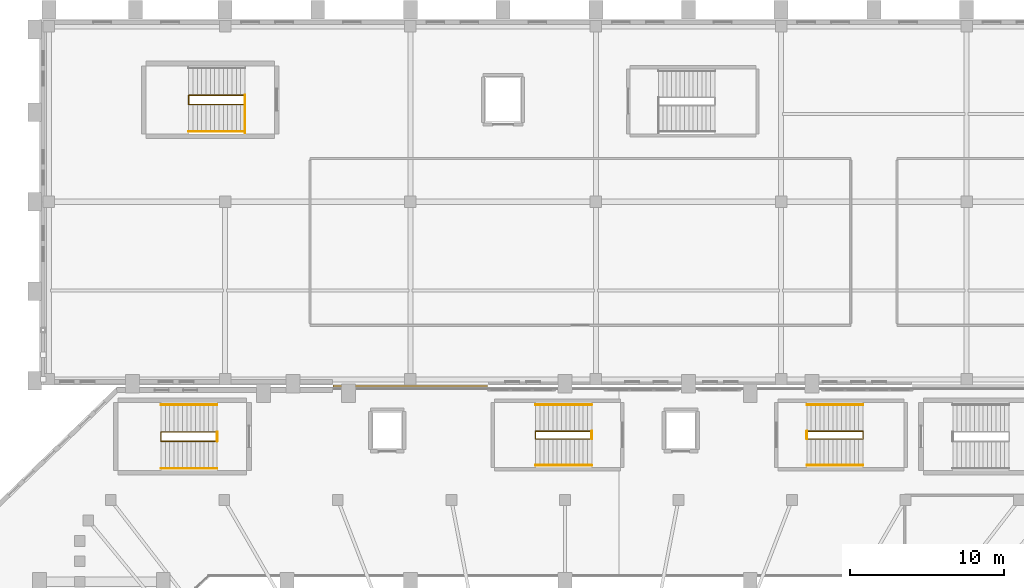
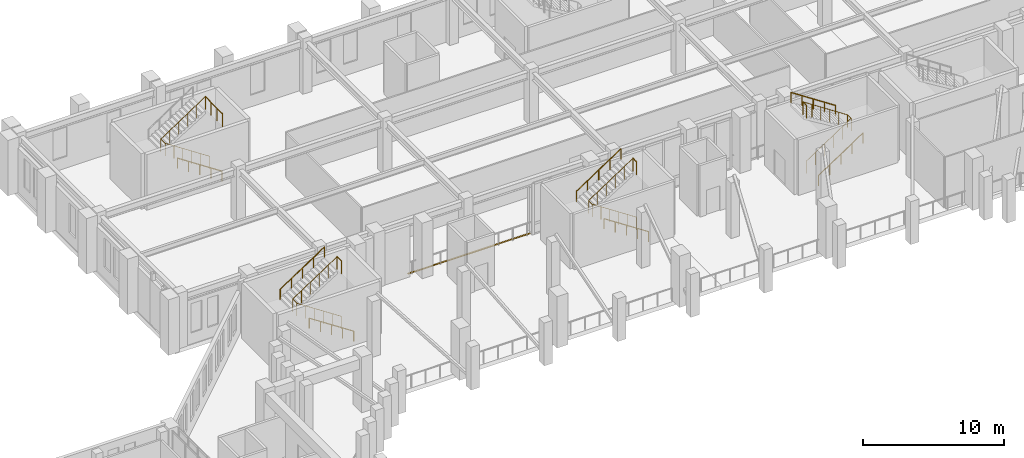
# One storey, part 114 of 126: 15 railings, 1 covering.
"""IFC4 building model written with IfcOpenShell, lengths in metres."""

from ifc_helpers import new_model, si_unit, derived_unit, direction, frame, origin, origin_2d, place, context, subcontext, project, spatial, polyline, circle, outline, extrude, material, layer, layer_set, type_object, element, save


model = new_model("IFC4")

# Units and contexts
model_context = context("Model", 3, precision=1e-05, world=origin(), true_north=direction((0.0, 1.0)))
body_context = subcontext(model_context, "Body", "Model", "MODEL_VIEW")
ifc_project = project(units=[si_unit("LENGTHUNIT", "METRE"), si_unit("AREAUNIT", "SQUARE_METRE"), si_unit("VOLUMEUNIT", "CUBIC_METRE"), si_unit("PLANEANGLEUNIT", "RADIAN"), si_unit("MASSUNIT", "GRAM", prefix="KILO"), derived_unit("THERMALTRANSMITTANCEUNIT", [(si_unit("MASSUNIT", "GRAM", prefix="KILO"), 1), (si_unit("TIMEUNIT", "SECOND"), -3), (si_unit("THERMODYNAMICTEMPERATUREUNIT", "KELVIN"), -1)])], contexts=[model_context])

# Site, building, storey
site_placement = place(None, origin())
site = spatial("IfcSite", under=ifc_project, at=site_placement, CompositionType="ELEMENT")
building_placement = place(site_placement, origin())
building = spatial("IfcBuilding", under=site, at=building_placement, Name="Valcora Ridge Arena", CompositionType="ELEMENT")
storey_placement = place(building_placement, frame((0.0, 0.0, 11.39990234375)))
storey = spatial("IfcBuildingStorey", under=building, at=storey_placement, Name="L02", CompositionType="ELEMENT", Elevation=11.39990234375)

# Covering
ifc_material_1 = material(Name="Steel ASTM A572 Grade 50", Category="steel")
ifc_layer = layer(ifc_material_1, 0.02001953125, Name="Steel ASTM A572 Grade 50")
ifc_layer_set = layer_set([ifc_layer], Name="Steel ASTM A572 Grade 50")
covering_type = type_object("IfcCoveringType", Name="TY-COVERING-COV-SJ-150", PredefinedType="FLOORING", material=ifc_layer_set)
covering_placement = place(storey_placement, frame((0.0, 0.0, -0.02001953125)))
element("IfcCovering", 1, at=covering_placement, inside=storey, type_object=covering_type, Name="COV-SJ-150 COV-SJ-0016", PredefinedType="FLOORING", context=body_context, shape_type="SweptSolid", body=[
    extrude(outline(polyline([(43.0, 108.199951171875), (53.0, 108.199951171875), (53.0, 108.35009765625), (43.0, 108.35009765625), (43.0, 108.199951171875)])), origin(), (0.0, 0.0, 1.0), 0.02001953125),
])

# Railings
ifc_material_2 = material(Name="Galvanized painted steel ASTM A500 Grade B", Category="steel")
railing_type_1 = type_object("IfcRailingType", Name="TY-RAILING-GRD-STAIR-1120", PredefinedType="GUARDRAIL", material=ifc_material_2)
railing_1_placement = place(storey_placement, frame((35.489990234375, 104.699951171875, 0.0)))
element("IfcRailing", 2, at=railing_1_placement, inside=storey, type_object=railing_type_1, Name="GRD-STAIR-1120 RAL-SG-0029", PredefinedType="GUARDRAIL", context=body_context, shape_type="SweptSolid", body=[
    extrude(circle(Radius=0.02392578125, at=origin_2d()), frame((0.0, 0.0, 1.09619140625), z_axis=(-0.834839479206, 0.0, 0.550493454965), x_axis=(0.0, -1.0, 0.0)), (0.0, 0.0, 1.0), 4.360107421875),
    extrude(circle(Radius=0.02392578125, at=origin_2d()), frame((-3.639892578125, 0.0, 3.49609375), z_axis=(0.0, 1.0, 0.0), x_axis=(-1.0, 0.0, 0.0)), (0.0, 0.0, 1.0), 0.60009765625),
    extrude(circle(Radius=0.02392578125, at=origin_2d()), frame((-3.639892578125, 0.60009765625, 3.49609375), z_axis=(0.834865213223, 0.0, 0.550454426587), x_axis=(0.0, 1.0, 0.0)), (0.0, 0.0, 1.0), 4.35986328125),
    extrude(circle(Radius=0.02099609375, at=origin_2d()), origin(), (0.0, 0.0, 1.0), 1.072021484375),
    extrude(circle(Radius=0.02099609375, at=origin_2d()), frame((-0.72802734375, 0.0, 0.47998046875)), (0.0, 0.0, 1.0), 1.072021484375),
    extrude(circle(Radius=0.02099609375, at=origin_2d()), frame((-1.4560546875, 0.0, 0.9599609375)), (0.0, 0.0, 1.0), 1.072021484375),
    extrude(circle(Radius=0.02099609375, at=origin_2d()), frame((-2.183837890625, 0.0, 1.440185546875)), (0.0, 0.0, 1.0), 1.072021484375),
    extrude(circle(Radius=0.02099609375, at=origin_2d()), frame((-2.911865234375, 0.0, 1.920166015625)), (0.0, 0.0, 1.0), 1.072021484375),
    extrude(circle(Radius=0.02099609375, at=origin_2d()), frame((-3.639892578125, 0.0, 2.400146484375)), (0.0, 0.0, 1.0), 1.072021484375),
    extrude(circle(Radius=0.02099609375, at=origin_2d()), frame((-3.639892578125, 0.60009765625, 2.400146484375)), (0.0, 0.0, 1.0), 1.072021484375),
    extrude(circle(Radius=0.02099609375, at=origin_2d()), frame((-2.911865234375, 0.60009765625, 2.880126953125)), (0.0, 0.0, 1.0), 1.072021484375),
    extrude(circle(Radius=0.02099609375, at=origin_2d()), frame((-2.183837890625, 0.60009765625, 3.360107421875)), (0.0, 0.0, 1.0), 1.072021484375),
    extrude(circle(Radius=0.02099609375, at=origin_2d()), frame((-1.4560546875, 0.60009765625, 3.840087890625)), (0.0, 0.0, 1.0), 1.072021484375),
    extrude(circle(Radius=0.02099609375, at=origin_2d()), frame((-0.72802734375, 0.60009765625, 4.320068359375)), (0.0, 0.0, 1.0), 1.072021484375),
    extrude(circle(Radius=0.02099609375, at=origin_2d()), frame((0.0, 0.60009765625, 4.800048828125)), (0.0, 0.0, 1.0), 1.072021484375),
])
railing_2_placement = place(storey_placement, frame((35.489990234375, 104.699951171875, 4.800048828125)))
element("IfcRailing", 3, at=railing_2_placement, inside=storey, type_object=railing_type_1, Name="GRD-STAIR-1120 RAL-SG-0030", PredefinedType="GUARDRAIL", context=body_context, shape_type="SweptSolid", body=[
    extrude(circle(Radius=0.02392578125, at=origin_2d()), frame((0.0, 0.0, 1.09619140625), z_axis=(0.0, 1.0, 0.0), x_axis=(-1.0, 0.0, 0.0)), (0.0, 0.0, 1.0), 0.60009765625),
    extrude(circle(Radius=0.02099609375, at=origin_2d()), origin(), (0.0, 0.0, 1.0), 1.072021484375),
    extrude(circle(Radius=0.02099609375, at=origin_2d()), frame((0.0, 0.60009765625, 0.0)), (0.0, 0.0, 1.0), 1.072021484375),
])
railing_3_placement = place(storey_placement, frame((37.2900390625, 126.5, 0.0)))
element("IfcRailing", 4, at=railing_3_placement, inside=storey, type_object=railing_type_1, Name="GRD-STAIR-1120 RAL-SG-0079", PredefinedType="GUARDRAIL", context=body_context, shape_type="SweptSolid", body=[
    extrude(circle(Radius=0.02392578125, at=origin_2d()), frame((0.0, 0.0, 1.09619140625), z_axis=(-0.834856447115, 0.0, 0.55046772177), x_axis=(0.0, -1.0, 0.0)), (0.0, 0.0, 1.0), 4.360107421875),
    extrude(circle(Radius=0.02392578125, at=origin_2d()), frame((-3.64013671875, 0.0, 3.49609375), z_axis=(0.0, 1.0, 0.0), x_axis=(-1.0, 0.0, 0.0)), (0.0, 0.0, 1.0), 0.60009765625),
    extrude(circle(Radius=0.02392578125, at=origin_2d()), frame((-3.64013671875, 0.60009765625, 3.49609375), z_axis=(0.83488217925, 0.0, 0.55042869363), x_axis=(0.0, 1.0, 0.0)), (0.0, 0.0, 1.0), 4.360107421875),
    extrude(circle(Radius=0.02099609375, at=origin_2d()), origin(), (0.0, 0.0, 1.0), 1.072021484375),
    extrude(circle(Radius=0.02099609375, at=origin_2d()), frame((-0.72802734375, 0.0, 0.47998046875)), (0.0, 0.0, 1.0), 1.072021484375),
    extrude(circle(Radius=0.02099609375, at=origin_2d()), frame((-1.4560546875, 0.0, 0.9599609375)), (0.0, 0.0, 1.0), 1.072021484375),
    extrude(circle(Radius=0.02099609375, at=origin_2d()), frame((-2.18408203125, 0.0, 1.440185546875)), (0.0, 0.0, 1.0), 1.072021484375),
    extrude(circle(Radius=0.02099609375, at=origin_2d()), frame((-2.912109375, 0.0, 1.920166015625)), (0.0, 0.0, 1.0), 1.072021484375),
    extrude(circle(Radius=0.02099609375, at=origin_2d()), frame((-3.64013671875, 0.0, 2.400146484375)), (0.0, 0.0, 1.0), 1.072021484375),
    extrude(circle(Radius=0.02099609375, at=origin_2d()), frame((-3.64013671875, 0.60009765625, 2.400146484375)), (0.0, 0.0, 1.0), 1.072021484375),
    extrude(circle(Radius=0.02099609375, at=origin_2d()), frame((-2.912109375, 0.60009765625, 2.880126953125)), (0.0, 0.0, 1.0), 1.072021484375),
    extrude(circle(Radius=0.02099609375, at=origin_2d()), frame((-2.18408203125, 0.60009765625, 3.360107421875)), (0.0, 0.0, 1.0), 1.072021484375),
    extrude(circle(Radius=0.02099609375, at=origin_2d()), frame((-1.4560546875, 0.60009765625, 3.840087890625)), (0.0, 0.0, 1.0), 1.072021484375),
    extrude(circle(Radius=0.02099609375, at=origin_2d()), frame((-0.72802734375, 0.60009765625, 4.320068359375)), (0.0, 0.0, 1.0), 1.072021484375),
    extrude(circle(Radius=0.02099609375, at=origin_2d()), frame((0.0, 0.60009765625, 4.800048828125)), (0.0, 0.0, 1.0), 1.072021484375),
])
railing_4_placement = place(storey_placement, frame((37.2900390625, 124.64990234375, 4.800048828125)))
element("IfcRailing", 5, at=railing_4_placement, inside=storey, type_object=railing_type_1, Name="GRD-STAIR-1120 RAL-SG-0080", PredefinedType="GUARDRAIL", context=body_context, shape_type="SweptSolid", body=[
    extrude(circle(Radius=0.02392578125, at=origin_2d()), frame((0.0, 0.0, 1.09619140625), z_axis=(0.0, 1.0, 0.0), x_axis=(-1.0, 0.0, 0.0)), (0.0, 0.0, 1.0), 2.4501953125),
    extrude(circle(Radius=0.02099609375, at=origin_2d()), origin(), (0.0, 0.0, 1.0), 1.072021484375),
    extrude(circle(Radius=0.02099609375, at=origin_2d()), frame((0.0, 0.816650390625, 0.0)), (0.0, 0.0, 1.0), 1.072021484375),
    extrude(circle(Radius=0.02099609375, at=origin_2d()), frame((0.0, 1.633544921875, 0.0)), (0.0, 0.0, 1.0), 1.072021484375),
    extrude(circle(Radius=0.02099609375, at=origin_2d()), frame((0.0, 2.4501953125, 0.0)), (0.0, 0.0, 1.0), 1.072021484375),
])
railing_5_placement = place(storey_placement, frame((59.739990234375, 104.85009765625, 0.0)))
element("IfcRailing", 6, at=railing_5_placement, inside=storey, type_object=railing_type_1, Name="GRD-STAIR-1120 RAL-SG-0117", PredefinedType="GUARDRAIL", context=body_context, shape_type="SweptSolid", body=[
    extrude(circle(Radius=0.02392578125, at=origin_2d()), frame((0.0, 0.0, 1.09619140625), z_axis=(-0.834839479206, 0.0, 0.550493454965), x_axis=(0.0, -1.0, 0.0)), (0.0, 0.0, 1.0), 4.360107421875),
    extrude(circle(Radius=0.02392578125, at=origin_2d()), frame((-3.639892578125, 0.0, 3.49609375), z_axis=(0.0, 1.0, 0.0), x_axis=(-1.0, 0.0, 0.0)), (0.0, 0.0, 1.0), 0.5),
    extrude(circle(Radius=0.02392578125, at=origin_2d()), frame((-3.639892578125, 0.5, 3.49609375), z_axis=(0.834865213223, 0.0, 0.550454426587), x_axis=(0.0, 1.0, 0.0)), (0.0, 0.0, 1.0), 4.35986328125),
    extrude(circle(Radius=0.02099609375, at=origin_2d()), origin(), (0.0, 0.0, 1.0), 1.072021484375),
    extrude(circle(Radius=0.02099609375, at=origin_2d()), frame((-0.72802734375, 0.0, 0.47998046875)), (0.0, 0.0, 1.0), 1.072021484375),
    extrude(circle(Radius=0.02099609375, at=origin_2d()), frame((-1.4560546875, 0.0, 0.9599609375)), (0.0, 0.0, 1.0), 1.072021484375),
    extrude(circle(Radius=0.02099609375, at=origin_2d()), frame((-2.183837890625, 0.0, 1.440185546875)), (0.0, 0.0, 1.0), 1.072021484375),
    extrude(circle(Radius=0.02099609375, at=origin_2d()), frame((-2.911865234375, 0.0, 1.920166015625)), (0.0, 0.0, 1.0), 1.072021484375),
    extrude(circle(Radius=0.02099609375, at=origin_2d()), frame((-3.639892578125, 0.0, 2.400146484375)), (0.0, 0.0, 1.0), 1.072021484375),
    extrude(circle(Radius=0.02099609375, at=origin_2d()), frame((-3.639892578125, 0.5, 2.400146484375)), (0.0, 0.0, 1.0), 1.072021484375),
    extrude(circle(Radius=0.02099609375, at=origin_2d()), frame((-2.911865234375, 0.5, 2.880126953125)), (0.0, 0.0, 1.0), 1.072021484375),
    extrude(circle(Radius=0.02099609375, at=origin_2d()), frame((-2.183837890625, 0.5, 3.360107421875)), (0.0, 0.0, 1.0), 1.072021484375),
    extrude(circle(Radius=0.02099609375, at=origin_2d()), frame((-1.4560546875, 0.5, 3.840087890625)), (0.0, 0.0, 1.0), 1.072021484375),
    extrude(circle(Radius=0.02099609375, at=origin_2d()), frame((-0.72802734375, 0.5, 4.320068359375)), (0.0, 0.0, 1.0), 1.072021484375),
    extrude(circle(Radius=0.02099609375, at=origin_2d()), frame((0.0, 0.5, 4.800048828125)), (0.0, 0.0, 1.0), 1.072021484375),
])
railing_6_placement = place(storey_placement, frame((59.739990234375, 104.85009765625, 4.800048828125)))
element("IfcRailing", 7, at=railing_6_placement, inside=storey, type_object=railing_type_1, Name="GRD-STAIR-1120 RAL-SG-0118", PredefinedType="GUARDRAIL", context=body_context, shape_type="SweptSolid", body=[
    extrude(circle(Radius=0.02392578125, at=origin_2d()), frame((0.0, 0.0, 1.09619140625), z_axis=(0.0, 1.0, 0.0), x_axis=(-1.0, 0.0, 0.0)), (0.0, 0.0, 1.0), 0.5),
    extrude(circle(Radius=0.02099609375, at=origin_2d()), origin(), (0.0, 0.0, 1.0), 1.072021484375),
    extrude(circle(Radius=0.02099609375, at=origin_2d()), frame((0.0, 0.5, 0.0)), (0.0, 0.0, 1.0), 1.072021484375),
])
railing_7_placement = place(storey_placement, frame((73.659912109375, 104.85009765625, 0.0)))
element("IfcRailing", 8, at=railing_7_placement, inside=storey, type_object=railing_type_1, Name="GRD-STAIR-1120 RAL-SG-0125", PredefinedType="GUARDRAIL", context=body_context, shape_type="SweptSolid", body=[
    extrude(circle(Radius=0.02392578125, at=origin_2d()), frame((0.0, 0.0, 1.09619140625), z_axis=(0.834856447115, 0.0, 0.55046772177), x_axis=(0.0, 1.0, 0.0)), (0.0, 0.0, 1.0), 4.360107421875),
    extrude(circle(Radius=0.02392578125, at=origin_2d()), frame((3.64013671875, 0.0, 3.49609375), z_axis=(0.0, 1.0, 0.0), x_axis=(-1.0, 0.0, 0.0)), (0.0, 0.0, 1.0), 0.5),
    extrude(circle(Radius=0.02392578125, at=origin_2d()), frame((3.64013671875, 0.5, 3.49609375), z_axis=(-0.83488217925, 0.0, 0.55042869363), x_axis=(0.0, -1.0, 0.0)), (0.0, 0.0, 1.0), 4.360107421875),
    extrude(circle(Radius=0.02099609375, at=origin_2d()), origin(), (0.0, 0.0, 1.0), 1.072021484375),
    extrude(circle(Radius=0.02099609375, at=origin_2d()), frame((0.72802734375, 0.0, 0.47998046875)), (0.0, 0.0, 1.0), 1.072021484375),
    extrude(circle(Radius=0.02099609375, at=origin_2d()), frame((1.4560546875, 0.0, 0.9599609375)), (0.0, 0.0, 1.0), 1.072021484375),
    extrude(circle(Radius=0.02099609375, at=origin_2d()), frame((2.18408203125, 0.0, 1.440185546875)), (0.0, 0.0, 1.0), 1.072021484375),
    extrude(circle(Radius=0.02099609375, at=origin_2d()), frame((2.912109375, 0.0, 1.920166015625)), (0.0, 0.0, 1.0), 1.072021484375),
    extrude(circle(Radius=0.02099609375, at=origin_2d()), frame((3.64013671875, 0.0, 2.400146484375)), (0.0, 0.0, 1.0), 1.072021484375),
    extrude(circle(Radius=0.02099609375, at=origin_2d()), frame((3.64013671875, 0.5, 2.400146484375)), (0.0, 0.0, 1.0), 1.072021484375),
    extrude(circle(Radius=0.02099609375, at=origin_2d()), frame((2.912109375, 0.5, 2.880126953125)), (0.0, 0.0, 1.0), 1.072021484375),
    extrude(circle(Radius=0.02099609375, at=origin_2d()), frame((2.18408203125, 0.5, 3.360107421875)), (0.0, 0.0, 1.0), 1.072021484375),
    extrude(circle(Radius=0.02099609375, at=origin_2d()), frame((1.4560546875, 0.5, 3.840087890625)), (0.0, 0.0, 1.0), 1.072021484375),
    extrude(circle(Radius=0.02099609375, at=origin_2d()), frame((0.72802734375, 0.5, 4.320068359375)), (0.0, 0.0, 1.0), 1.072021484375),
    extrude(circle(Radius=0.02099609375, at=origin_2d()), frame((0.0, 0.5, 4.800048828125)), (0.0, 0.0, 1.0), 1.072021484375),
])
railing_8_placement = place(storey_placement, frame((73.659912109375, 104.85009765625, 4.800048828125)))
element("IfcRailing", 9, at=railing_8_placement, inside=storey, type_object=railing_type_1, Name="GRD-STAIR-1120 RAL-SG-0126", PredefinedType="GUARDRAIL", context=body_context, shape_type="SweptSolid", body=[
    extrude(circle(Radius=0.02392578125, at=origin_2d()), frame((0.0, 0.0, 1.09619140625), z_axis=(0.0, 1.0, 0.0), x_axis=(-1.0, 0.0, 0.0)), (0.0, 0.0, 1.0), 0.5),
    extrude(circle(Radius=0.02099609375, at=origin_2d()), origin(), (0.0, 0.0, 1.0), 1.072021484375),
    extrude(circle(Radius=0.02099609375, at=origin_2d()), frame((0.0, 0.5, 0.0)), (0.0, 0.0, 1.0), 1.072021484375),
])
railing_type_2 = type_object("IfcRailingType", Name="TY-RAILING-HR-STAIR-900", PredefinedType="HANDRAIL", material=ifc_material_2)
railing_9_placement = place(storey_placement, frame((35.489990234375, 102.93994140625, 0.0)))
element("IfcRailing", 10, at=railing_9_placement, inside=storey, type_object=railing_type_2, Name="HR-STAIR-900 RAL-SH-0029", PredefinedType="HANDRAIL", context=body_context, shape_type="SweptSolid", body=[
    extrude(circle(Radius=0.02392578125, at=origin_2d()), frame((0.0, 0.0, 0.8759765625), z_axis=(-0.834839479206, 0.0, 0.550493454965), x_axis=(0.0, -1.0, 0.0)), (0.0, 0.0, 1.0), 4.360107421875),
    extrude(circle(Radius=0.02099609375, at=origin_2d()), origin(), (0.0, 0.0, 1.0), 0.851806640625),
    extrude(circle(Radius=0.02099609375, at=origin_2d()), frame((-0.909912109375, 0.0, 0.60009765625)), (0.0, 0.0, 1.0), 0.851806640625),
    extrude(circle(Radius=0.02099609375, at=origin_2d()), frame((-1.81982421875, 0.0, 1.2001953125)), (0.0, 0.0, 1.0), 0.851806640625),
    extrude(circle(Radius=0.02099609375, at=origin_2d()), frame((-2.72998046875, 0.0, 1.800048828125)), (0.0, 0.0, 1.0), 0.851806640625),
    extrude(circle(Radius=0.02099609375, at=origin_2d()), frame((-3.639892578125, 0.0, 2.400146484375)), (0.0, 0.0, 1.0), 0.851806640625),
])
railing_10_placement = place(storey_placement, frame((31.85009765625, 107.06005859375, 2.400146484375)))
element("IfcRailing", 11, at=railing_10_placement, inside=storey, type_object=railing_type_2, Name="HR-STAIR-900 RAL-SH-0030", PredefinedType="HANDRAIL", context=body_context, shape_type="SweptSolid", body=[
    extrude(circle(Radius=0.02392578125, at=origin_2d()), frame((0.0, 0.0, 0.8759765625), z_axis=(0.834865213223, 0.0, 0.550454426587), x_axis=(0.0, 1.0, 0.0)), (0.0, 0.0, 1.0), 4.35986328125),
    extrude(circle(Radius=0.02099609375, at=origin_2d()), origin(), (0.0, 0.0, 1.0), 0.851806640625),
    extrude(circle(Radius=0.02099609375, at=origin_2d()), frame((0.909912109375, 0.0, 0.60009765625)), (0.0, 0.0, 1.0), 0.851806640625),
    extrude(circle(Radius=0.02099609375, at=origin_2d()), frame((1.81982421875, 0.0, 1.199951171875)), (0.0, 0.0, 1.0), 0.851806640625),
    extrude(circle(Radius=0.02099609375, at=origin_2d()), frame((2.72998046875, 0.0, 1.7998046875)), (0.0, 0.0, 1.0), 0.851806640625),
    extrude(circle(Radius=0.02099609375, at=origin_2d()), frame((3.639892578125, 0.0, 2.39990234375)), (0.0, 0.0, 1.0), 0.851806640625),
])
railing_11_placement = place(storey_placement, frame((37.2900390625, 124.739990234375, 0.0)))
element("IfcRailing", 12, at=railing_11_placement, inside=storey, type_object=railing_type_2, Name="HR-STAIR-900 RAL-SH-0079", PredefinedType="HANDRAIL", context=body_context, shape_type="SweptSolid", body=[
    extrude(circle(Radius=0.02392578125, at=origin_2d()), frame((0.0, 0.0, 0.8759765625), z_axis=(-0.834856447115, 0.0, 0.55046772177), x_axis=(0.0, -1.0, 0.0)), (0.0, 0.0, 1.0), 4.360107421875),
    extrude(circle(Radius=0.02099609375, at=origin_2d()), origin(), (0.0, 0.0, 1.0), 0.851806640625),
    extrude(circle(Radius=0.02099609375, at=origin_2d()), frame((-0.91015625, 0.0, 0.60009765625)), (0.0, 0.0, 1.0), 0.851806640625),
    extrude(circle(Radius=0.02099609375, at=origin_2d()), frame((-1.820068359375, 0.0, 1.2001953125)), (0.0, 0.0, 1.0), 0.851806640625),
    extrude(circle(Radius=0.02099609375, at=origin_2d()), frame((-2.72998046875, 0.0, 1.800048828125)), (0.0, 0.0, 1.0), 0.851806640625),
    extrude(circle(Radius=0.02099609375, at=origin_2d()), frame((-3.64013671875, 0.0, 2.400146484375)), (0.0, 0.0, 1.0), 0.851806640625),
])
railing_12_placement = place(storey_placement, frame((59.739990234375, 103.139892578125, 0.0)))
element("IfcRailing", 13, at=railing_12_placement, inside=storey, type_object=railing_type_2, Name="HR-STAIR-900 RAL-SH-0117", PredefinedType="HANDRAIL", context=body_context, shape_type="SweptSolid", body=[
    extrude(circle(Radius=0.02392578125, at=origin_2d()), frame((0.0, 0.0, 0.8759765625), z_axis=(-0.834839479206, 0.0, 0.550493454965), x_axis=(0.0, -1.0, 0.0)), (0.0, 0.0, 1.0), 4.360107421875),
    extrude(circle(Radius=0.02099609375, at=origin_2d()), origin(), (0.0, 0.0, 1.0), 0.851806640625),
    extrude(circle(Radius=0.02099609375, at=origin_2d()), frame((-0.909912109375, 0.0, 0.60009765625)), (0.0, 0.0, 1.0), 0.851806640625),
    extrude(circle(Radius=0.02099609375, at=origin_2d()), frame((-1.81982421875, 0.0, 1.2001953125)), (0.0, 0.0, 1.0), 0.851806640625),
    extrude(circle(Radius=0.02099609375, at=origin_2d()), frame((-2.72998046875, 0.0, 1.800048828125)), (0.0, 0.0, 1.0), 0.851806640625),
    extrude(circle(Radius=0.02099609375, at=origin_2d()), frame((-3.639892578125, 0.0, 2.400146484375)), (0.0, 0.0, 1.0), 0.851806640625),
])
railing_13_placement = place(storey_placement, frame((56.10009765625, 107.06005859375, 2.400146484375)))
element("IfcRailing", 14, at=railing_13_placement, inside=storey, type_object=railing_type_2, Name="HR-STAIR-900 RAL-SH-0118", PredefinedType="HANDRAIL", context=body_context, shape_type="SweptSolid", body=[
    extrude(circle(Radius=0.02392578125, at=origin_2d()), frame((0.0, 0.0, 0.8759765625), z_axis=(0.834865213223, 0.0, 0.550454426587), x_axis=(0.0, 1.0, 0.0)), (0.0, 0.0, 1.0), 4.35986328125),
    extrude(circle(Radius=0.02099609375, at=origin_2d()), origin(), (0.0, 0.0, 1.0), 0.851806640625),
    extrude(circle(Radius=0.02099609375, at=origin_2d()), frame((0.909912109375, 0.0, 0.60009765625)), (0.0, 0.0, 1.0), 0.851806640625),
    extrude(circle(Radius=0.02099609375, at=origin_2d()), frame((1.81982421875, 0.0, 1.199951171875)), (0.0, 0.0, 1.0), 0.851806640625),
    extrude(circle(Radius=0.02099609375, at=origin_2d()), frame((2.72998046875, 0.0, 1.7998046875)), (0.0, 0.0, 1.0), 0.851806640625),
    extrude(circle(Radius=0.02099609375, at=origin_2d()), frame((3.639892578125, 0.0, 2.39990234375)), (0.0, 0.0, 1.0), 0.851806640625),
])
railing_14_placement = place(storey_placement, frame((73.659912109375, 103.139892578125, 0.0)))
element("IfcRailing", 15, at=railing_14_placement, inside=storey, type_object=railing_type_2, Name="HR-STAIR-900 RAL-SH-0125", PredefinedType="HANDRAIL", context=body_context, shape_type="SweptSolid", body=[
    extrude(circle(Radius=0.02392578125, at=origin_2d()), frame((0.0, 0.0, 0.8759765625), z_axis=(0.834856447115, 0.0, 0.55046772177), x_axis=(0.0, 1.0, 0.0)), (0.0, 0.0, 1.0), 4.360107421875),
    extrude(circle(Radius=0.02099609375, at=origin_2d()), origin(), (0.0, 0.0, 1.0), 0.851806640625),
    extrude(circle(Radius=0.02099609375, at=origin_2d()), frame((0.91015625, 0.0, 0.60009765625)), (0.0, 0.0, 1.0), 0.851806640625),
    extrude(circle(Radius=0.02099609375, at=origin_2d()), frame((1.820068359375, 0.0, 1.2001953125)), (0.0, 0.0, 1.0), 0.851806640625),
    extrude(circle(Radius=0.02099609375, at=origin_2d()), frame((2.72998046875, 0.0, 1.800048828125)), (0.0, 0.0, 1.0), 0.851806640625),
    extrude(circle(Radius=0.02099609375, at=origin_2d()), frame((3.64013671875, 0.0, 2.400146484375)), (0.0, 0.0, 1.0), 0.851806640625),
])
railing_15_placement = place(storey_placement, frame((77.300048828125, 107.06005859375, 2.400146484375)))
element("IfcRailing", 16, at=railing_15_placement, inside=storey, type_object=railing_type_2, Name="HR-STAIR-900 RAL-SH-0126", PredefinedType="HANDRAIL", context=body_context, shape_type="SweptSolid", body=[
    extrude(circle(Radius=0.02392578125, at=origin_2d()), frame((0.0, 0.0, 0.8759765625), z_axis=(-0.83488217925, 0.0, 0.55042869363), x_axis=(0.0, -1.0, 0.0)), (0.0, 0.0, 1.0), 4.360107421875),
    extrude(circle(Radius=0.02099609375, at=origin_2d()), origin(), (0.0, 0.0, 1.0), 0.851806640625),
    extrude(circle(Radius=0.02099609375, at=origin_2d()), frame((-0.91015625, 0.0, 0.60009765625)), (0.0, 0.0, 1.0), 0.851806640625),
    extrude(circle(Radius=0.02099609375, at=origin_2d()), frame((-1.820068359375, 0.0, 1.199951171875)), (0.0, 0.0, 1.0), 0.851806640625),
    extrude(circle(Radius=0.02099609375, at=origin_2d()), frame((-2.72998046875, 0.0, 1.7998046875)), (0.0, 0.0, 1.0), 0.851806640625),
    extrude(circle(Radius=0.02099609375, at=origin_2d()), frame((-3.64013671875, 0.0, 2.39990234375)), (0.0, 0.0, 1.0), 0.851806640625),
])

save(model, "model.ifc")
